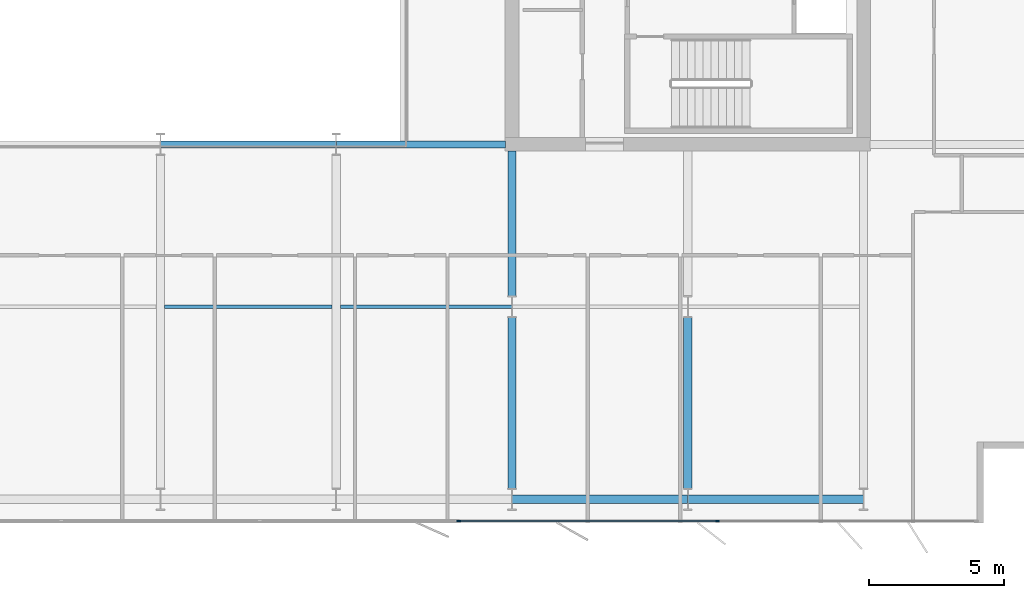
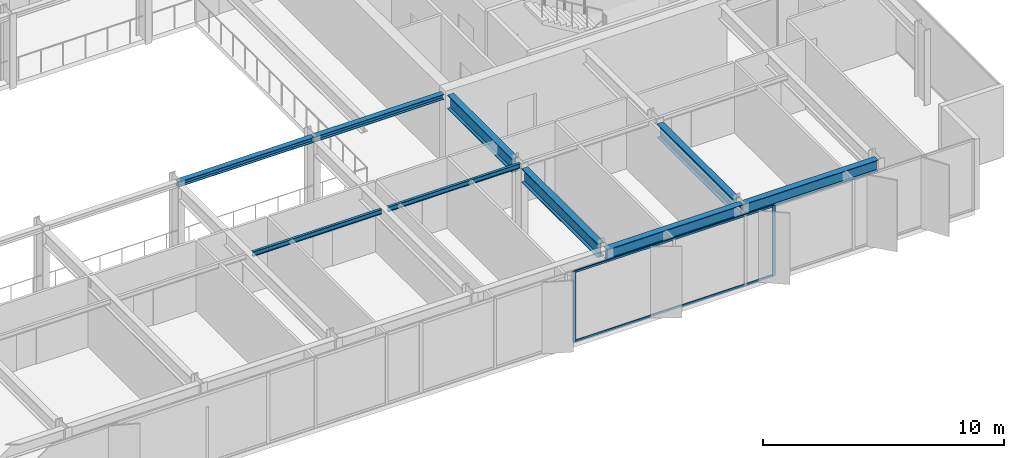
# One storey, part 7 of 24: 9 beams, 4 members, 1 element without a shape of its own.
"""IFC4 building model written with IfcOpenShell, lengths in metres."""

from ifc_helpers import new_model, si_unit, direction, frame, origin, origin_2d, place, context, subcontext, project, spatial, rectangle, i_section, extrude, material, layer, layer_set, material_profile, profile_set, type_object, element, aggregate, save


model = new_model("IFC4")

# Units and contexts
model_context = context("Model", 3, precision=1e-05, world=origin(), true_north=direction((0.0, 1.0)))
body_context = subcontext(model_context, "Body", "Model", "MODEL_VIEW")
ifc_project = project(units=[si_unit("LENGTHUNIT", "METRE"), si_unit("AREAUNIT", "SQUARE_METRE"), si_unit("VOLUMEUNIT", "CUBIC_METRE"), si_unit("PLANEANGLEUNIT", "RADIAN"), si_unit("MASSUNIT", "GRAM", prefix="KILO")], contexts=[model_context])

# Site, building, storey
site_placement = place(None, origin())
site = spatial("IfcSite", under=ifc_project, at=site_placement, CompositionType="ELEMENT")
building_placement = place(site_placement, origin())
building = spatial("IfcBuilding", under=site, at=building_placement, Name="Putna Gate Headquarters", CompositionType="ELEMENT")
storey_placement = place(building_placement, frame((0.0, 0.0, 236.60009765625)))
storey = spatial("IfcBuildingStorey", under=building, at=storey_placement, Name="L59", CompositionType="ELEMENT", Elevation=236.60009765625)

# Beams
ifc_material_1 = material(Name="Steel S355J2", Category="steel")
ifc_material_profile_1 = material_profile(ifc_material_1, i_section(OverallWidth=0.260009765625, OverallDepth=0.260009765625, WebThickness=0.010009765625, FlangeThickness=0.017578125, at=origin_2d()), Name="Steel S355J2")
ifc_profile_set_1 = profile_set([ifc_material_profile_1], Name="Steel S355J2")
beam_type_1 = type_object("IfcBeamType", Name="BM-ATRIUM-HEB260", PredefinedType="BEAM", material=ifc_profile_set_1)
beam_1_placement = place(storey_placement, frame((39.006103515625, 19.0, 3.449951171875), z_axis=(1.0, 0.0, 0.0), x_axis=(0.0, 1.0, 0.0)))
element("IfcBeam", 1, at=beam_1_placement, inside=storey, type_object=beam_type_1, Name="L59 Atrium Edge Beam AS3", PredefinedType="BEAM", context=body_context, shape_type="SweptSolid", body=[
    extrude(i_section(OverallWidth=0.260009765625, OverallDepth=0.260009765625, WebThickness=0.010009765625, FlangeThickness=0.017578125, at=origin_2d()), origin(), (0.0, 0.0, 1.0), 6.48779296875),
])
beam_2_placement = place(storey_placement, frame((45.506103515625, 19.0, 3.449951171875), z_axis=(1.0, 0.0, 0.0), x_axis=(0.0, 1.0, 0.0)))
element("IfcBeam", 2, at=beam_2_placement, inside=storey, type_object=beam_type_1, Name="L59 Atrium Edge Beam AS4", PredefinedType="BEAM", context=body_context, shape_type="SweptSolid", body=[
    extrude(i_section(OverallWidth=0.260009765625, OverallDepth=0.260009765625, WebThickness=0.010009765625, FlangeThickness=0.017578125, at=origin_2d()), origin(), (0.0, 0.0, 1.0), 6.2587890625),
])
ifc_material_profile_2 = material_profile(ifc_material_1, i_section(OverallWidth=0.300048828125, OverallDepth=0.699951171875, WebThickness=0.01708984375, FlangeThickness=0.031982421875, at=origin_2d()), Name="Steel S355J2")
ifc_profile_set_2 = profile_set([ifc_material_profile_2], Name="Steel S355J2")
beam_type_2 = type_object("IfcBeamType", Name="BM-GIRD-B-HEB700", PredefinedType="USERDEFINED", material=ifc_profile_set_2)
beam_3_placement = place(storey_placement, frame((52.0, 6.27490234375, 3.22998046875), z_axis=(0.0, 1.0, 0.0), x_axis=(-1.0, 0.0, 0.0)))
element("IfcBeam", 3, at=beam_3_placement, inside=storey, type_object=beam_type_2, Name="L59 South Primary Girder X52-1", ObjectType="GIRDER", PredefinedType="USERDEFINED", context=body_context, shape_type="SweptSolid", body=[
    extrude(i_section(OverallWidth=0.300048828125, OverallDepth=0.699951171875, WebThickness=0.01708984375, FlangeThickness=0.031982421875, at=origin_2d()), origin(), (0.0, 0.0, 1.0), 6.330078125),
])
beam_4_placement = place(storey_placement, frame((52.0, 13.39501953125, 3.22998046875), z_axis=(0.0, 1.0, 0.0), x_axis=(-1.0, 0.0, 0.0)))
element("IfcBeam", 4, at=beam_4_placement, inside=storey, type_object=beam_type_2, Name="L59 South Primary Girder X52-2", ObjectType="GIRDER", PredefinedType="USERDEFINED", context=body_context, shape_type="SweptSolid", body=[
    extrude(i_section(OverallWidth=0.300048828125, OverallDepth=0.699951171875, WebThickness=0.01708984375, FlangeThickness=0.031982421875, at=origin_2d()), origin(), (0.0, 0.0, 1.0), 5.369873046875),
])
beam_5_placement = place(storey_placement, frame((58.5, 6.27490234375, 3.22998046875), z_axis=(0.0, 1.0, 0.0), x_axis=(-1.0, 0.0, 0.0)))
element("IfcBeam", 5, at=beam_5_placement, inside=storey, type_object=beam_type_2, Name="L59 South Primary Girder X58-1", ObjectType="GIRDER", PredefinedType="USERDEFINED", context=body_context, shape_type="SweptSolid", body=[
    extrude(i_section(OverallWidth=0.300048828125, OverallDepth=0.699951171875, WebThickness=0.01708984375, FlangeThickness=0.031982421875, at=origin_2d()), origin(), (0.0, 0.0, 1.0), 6.330078125),
])
ifc_material_profile_3 = material_profile(ifc_material_1, i_section(OverallWidth=0.1201171875, OverallDepth=0.239990234375, WebThickness=0.006103515625, FlangeThickness=0.009765625, at=origin_2d()), Name="Steel S355J2")
ifc_profile_set_3 = profile_set([ifc_material_profile_3], Name="Steel S355J2")
beam_type_3 = type_object("IfcBeamType", Name="BM-SEC-Z4-IPE240", PredefinedType="JOIST", material=ifc_profile_set_3)
beam_6_placement = place(storey_placement, frame((39.154052734375, 13.0, 3.4599609375), z_axis=(1.0, 0.0, 0.0), x_axis=(0.0, 1.0, 0.0)))
element("IfcBeam", 6, at=beam_6_placement, inside=storey, type_object=beam_type_3, Name="L59 South Secondary Beam 5", PredefinedType="JOIST", context=body_context, shape_type="SweptSolid", body=[
    extrude(i_section(OverallWidth=0.1201171875, OverallDepth=0.239990234375, WebThickness=0.006103515625, FlangeThickness=0.009765625, at=origin_2d()), origin(), (0.0, 0.0, 1.0), 6.19189453125),
])
beam_7_placement = place(storey_placement, frame((45.654052734375, 13.0, 3.4599609375), z_axis=(1.0, 0.0, 0.0), x_axis=(0.0, 1.0, 0.0)))
element("IfcBeam", 7, at=beam_7_placement, inside=storey, type_object=beam_type_3, Name="L59 South Secondary Beam 6", PredefinedType="JOIST", context=body_context, shape_type="SweptSolid", body=[
    extrude(i_section(OverallWidth=0.1201171875, OverallDepth=0.239990234375, WebThickness=0.006103515625, FlangeThickness=0.009765625, at=origin_2d()), origin(), (0.0, 0.0, 1.0), 6.33984375),
])
ifc_material_profile_4 = material_profile(ifc_material_1, i_section(OverallWidth=0.300048828125, OverallDepth=0.590087890625, WebThickness=0.012939453125, FlangeThickness=0.02490234375, at=origin_2d()), Name="Steel S355J2")
ifc_profile_set_4 = profile_set([ifc_material_profile_4], Name="Steel S355J2")
beam_type_4 = type_object("IfcBeamType", Name="BM-SPAN-Z4-HEA600", PredefinedType="SPANDREL", material=ifc_profile_set_4)
for number, where, z_axis, x_axis, name in (
    (8, (52.006103515625, 5.8798828125, 3.284912109375), (1.0, 0.0, 0.0), (0.0, 1.0, 0.0), "L59 S Perimeter Spandrel 7"),
    (9, (58.506103515625, 5.8798828125, 3.284912109375), (1.0, 0.0, 0.0), (0.0, 1.0, 0.0), "L59 S Perimeter Spandrel 8"),
):
    element("IfcBeam", number, at=place(storey_placement, frame(where, z_axis=z_axis, x_axis=x_axis)), inside=storey, type_object=beam_type_4, Name=name, PredefinedType="SPANDREL", context=body_context, shape_type="SweptSolid", body=[
        extrude(i_section(OverallWidth=0.300048828125, OverallDepth=0.590087890625, WebThickness=0.012939453125, FlangeThickness=0.02490234375, at=origin_2d()), origin(), (0.0, 0.0, 1.0), 6.48779296875),
    ])

# Curtain wall, members
ifc_material_2 = material(Name="Anodised bronze aluminium curtain wall", Category="aluminium")
ifc_layer = layer(ifc_material_2, 0.139892578125)
ifc_layer_set = layer_set([ifc_layer], Name="Anodised bronze aluminium curtain wall")
curtain_wall_type = type_object("IfcCurtainWallType", Name="CW-SYS-Z4", PredefinedType="USERDEFINED", material=ifc_layer_set)
curtain_wall_placement = place(storey_placement, origin())
curtain_wall = element("IfcCurtainWall", 10, at=curtain_wall_placement, inside=storey, type_object=curtain_wall_type, Name="L59 South East Curtain Wall", ObjectType="STICK CURTAIN WALL", PredefinedType="USERDEFINED")
ifc_material_3 = material(Name="Anodised bronze aluminium EN AW-6060", Category="aluminium")
ifc_material_profile_5 = material_profile(ifc_material_3, rectangle(XDim=0.06005859375, YDim=0.139892578125, at=origin_2d()), Name="Anodised bronze aluminium EN AW-6060")
ifc_profile_set_5 = profile_set([ifc_material_profile_5], Name="Anodised bronze aluminium EN AW-6060")
member_type_1 = type_object("IfcMemberType", Name="MULL-CWM-4", PredefinedType="MULLION", material=ifc_profile_set_5)
member_1_placement = place(storey_placement, frame((50.030029296875, 5.080078125, 0.0), z_axis=(0.0, 0.0, 1.0), x_axis=(0.0, 1.0, 0.0)))
member_1 = element("IfcMember", 11, at=member_1_placement, type_object=member_type_1, Name="CWS-4 mullion 1", PredefinedType="MULLION", context=body_context, shape_type="SweptSolid", body=[
    extrude(rectangle(XDim=0.06005859375, YDim=0.139892578125, at=origin_2d()), origin(), (0.0, 0.0, 1.0), 3.579833984375),
])
member_2_placement = place(storey_placement, frame((59.60009765625, 5.080078125, 0.0), z_axis=(0.0, 0.0, 1.0), x_axis=(0.0, 1.0, 0.0)))
member_2 = element("IfcMember", 12, at=member_2_placement, type_object=member_type_1, Name="CWS-4 mullion 2", PredefinedType="MULLION", context=body_context, shape_type="SweptSolid", body=[
    extrude(rectangle(XDim=0.06005859375, YDim=0.139892578125, at=origin_2d()), origin(), (0.0, 0.0, 1.0), 3.579833984375),
])
ifc_material_profile_6 = material_profile(ifc_material_3, rectangle(XDim=0.06005859375, YDim=0.10009765625, at=origin_2d()), Name="Anodised bronze aluminium EN AW-6060")
ifc_profile_set_6 = profile_set([ifc_material_profile_6], Name="Anodised bronze aluminium EN AW-6060")
member_type_2 = type_object("IfcMemberType", Name="TRAN-CWT-4", PredefinedType="USERDEFINED", material=ifc_profile_set_6)
member_3_placement = place(storey_placement, frame((50.06005859375, 5.080078125, 0.02978515625), z_axis=(1.0, 0.0, 0.0), x_axis=(0.0, 1.0, 0.0)))
member_3 = element("IfcMember", 13, at=member_3_placement, type_object=member_type_2, Name="CWS-4 transom 1.1", ObjectType="TRANSOM", PredefinedType="USERDEFINED", context=body_context, shape_type="SweptSolid", body=[
    extrude(rectangle(XDim=0.06005859375, YDim=0.10009765625, at=origin_2d()), origin(), (0.0, 0.0, 1.0), 9.510009765625),
])
member_4_placement = place(storey_placement, frame((50.06005859375, 5.080078125, 3.5498046875), z_axis=(1.0, 0.0, 0.0), x_axis=(0.0, 1.0, 0.0)))
member_4 = element("IfcMember", 14, at=member_4_placement, type_object=member_type_2, Name="CWS-4 transom 1.2", ObjectType="TRANSOM", PredefinedType="USERDEFINED", context=body_context, shape_type="SweptSolid", body=[
    extrude(rectangle(XDim=0.06005859375, YDim=0.10009765625, at=origin_2d()), origin(), (0.0, 0.0, 1.0), 9.510009765625),
])
aggregate(curtain_wall, [member_1, member_2, member_3, member_4])

save(model, "model.ifc")
